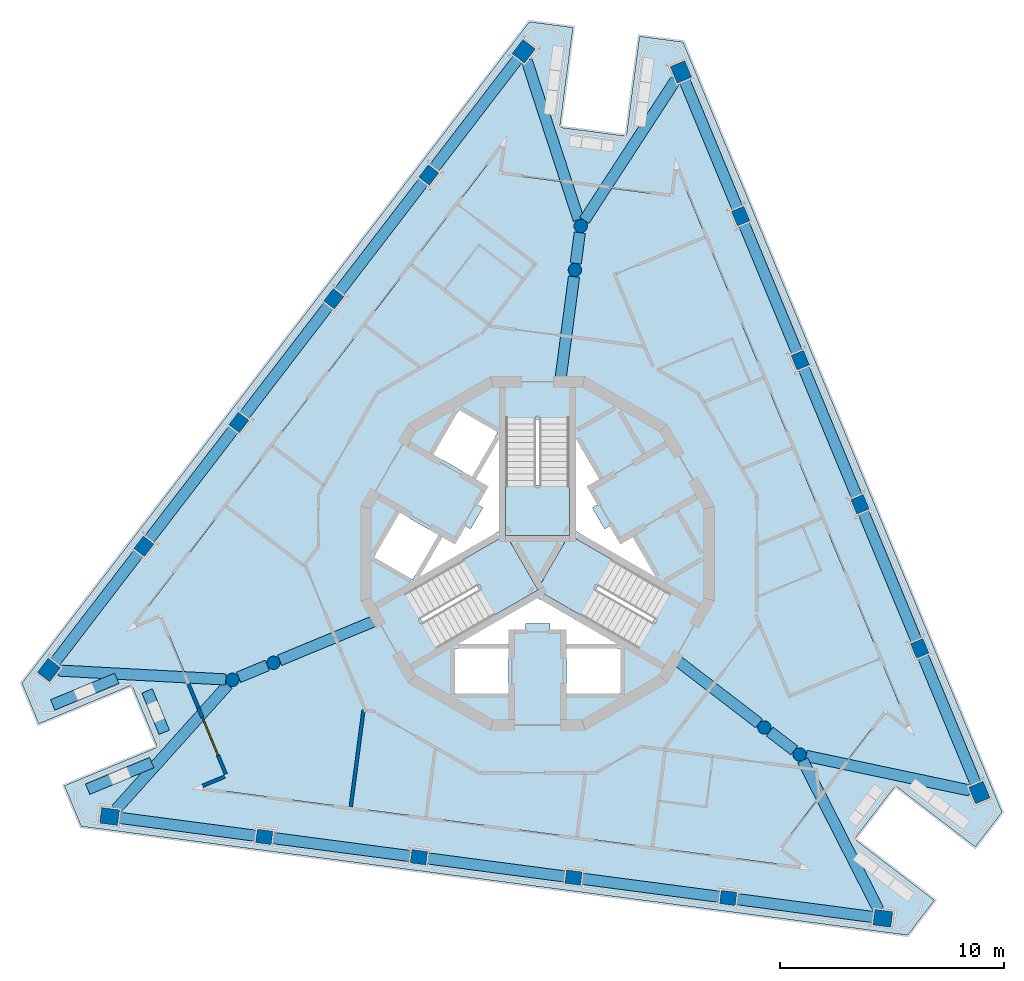
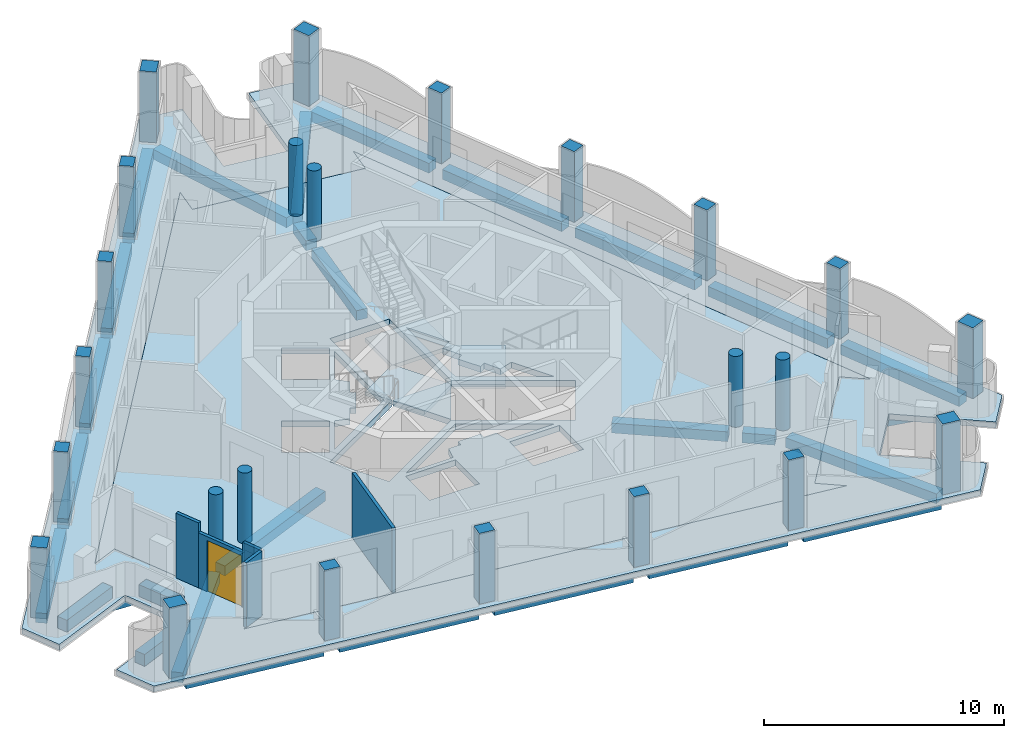
# One storey, part 1 of 12: 27 beams, 24 columns, 8 walls, 6 slabs, 1 door, 1 opening, 3 elements without a shape of their own.
"""IFC4 building model written with IfcOpenShell, lengths in metres."""

from ifc_helpers import new_model, si_unit, direction, frame, frame_2d, origin, origin_2d, place, context, subcontext, project, spatial, polyline, rectangle, circle, outline, extrude, material, layer, layer_set, material_profile, profile_set, type_object, element, fill, aggregate, save


model = new_model("IFC4")

# Units and contexts
model_context = context("Model", 3, precision=1e-05, world=origin(), true_north=direction((0.0, 1.0)))
body_context = subcontext(model_context, "Body", "Model", "MODEL_VIEW")
ifc_project = project(units=[si_unit("LENGTHUNIT", "METRE"), si_unit("AREAUNIT", "SQUARE_METRE"), si_unit("VOLUMEUNIT", "CUBIC_METRE"), si_unit("PLANEANGLEUNIT", "RADIAN"), si_unit("MASSUNIT", "GRAM", prefix="KILO")], contexts=[model_context])

# Site, building, storey
site_placement = place(None, origin())
site = spatial("IfcSite", under=ifc_project, at=site_placement, CompositionType="ELEMENT")
building_placement = place(site_placement, origin())
building = spatial("IfcBuilding", under=site, at=building_placement, Name="Trine Commons Tower", CompositionType="ELEMENT")
storey_placement = place(building_placement, frame((0.0, 0.0, 289.800048828125)))
storey = spatial("IfcBuildingStorey", under=building, at=storey_placement, Name="L76", CompositionType="ELEMENT", Elevation=289.800048828125)

# Columns
ifc_material_1 = material(Name="Concrete C50/60", Category="concrete")
ifc_material_profile_1 = material_profile(ifc_material_1, rectangle(XDim=0.699951171875, YDim=0.60009765625, at=origin_2d()), Name="RC 700x600")
ifc_profile_set_1 = profile_set([ifc_material_profile_1], Name="Concrete C50/60")
column_type_1 = type_object("IfcColumnType", Name="RC column 700x600, C50/60", PredefinedType="COLUMN", material=ifc_profile_set_1)
for number, where, z_axis, x_axis, name in (
    (1, (88.521728515625, 47.098876953125, 0.0), (0.0, 0.0, 1.0), (-0.991444861374, 0.13052619222, 0.0), "Column PC8-02 L76"),
    (2, (81.608642578125, 48.009033203125, 0.0), (0.0, 0.0, 1.0), (-0.991444861374, 0.13052619222, 0.0), "Column PC8-03 L76"),
    (3, (74.695556640625, 48.919189453125, 0.0), (0.0, 0.0, 1.0), (-0.991444861374, 0.13052619222, 0.0), "Column PC8-04 L76"),
    (4, (67.782470703125, 49.8291015625, 0.0), (0.0, 0.0, 1.0), (-0.991444861374, 0.13052619222, 0.0), "Column PC8-05 L76"),
    (5, (62.4013671875, 62.820556640625, 0.0), (0.0, 0.0, 1.0), (0.608761429009, 0.793353340291, 0.0), "Column PC8-08 L76"),
    (6, (66.64599609375, 68.352294921875, 0.0), (0.0, 0.0, 1.0), (0.608761429009, 0.793353340291, 0.0), "Column PC8-09 L76"),
    (7, (70.890869140625, 73.88427734375, 0.0), (0.0, 0.0, 1.0), (0.608761429009, 0.793353340291, 0.0), "Column PC8-10 L76"),
    (8, (75.135498046875, 79.416015625, 0.0), (0.0, 0.0, 1.0), (0.608761429009, 0.793353340291, 0.0), "Column PC8-11 L76"),
    (9, (89.076904296875, 77.58056640625, 0.0), (0.0, 0.0, 1.0), (-0.382683432365, 0.923879532511, 0.0), "Column PC8-14 L76"),
    (10, (91.745361328125, 71.138671875, 0.0), (0.0, 0.0, 1.0), (-0.382683432365, 0.923879532511, 0.0), "Column PC8-15 L76"),
    (11, (94.41357421875, 64.69677734375, 0.0), (0.0, 0.0, 1.0), (-0.382683432365, 0.923879532511, 0.0), "Column PC8-16 L76"),
    (12, (97.081787109375, 58.254638671875, 0.0), (0.0, 0.0, 1.0), (-0.382683432365, 0.923879532511, 0.0), "Column PC8-17 L76"),
):
    element("IfcColumn", number, at=place(storey_placement, frame(where, z_axis=z_axis, x_axis=x_axis)), inside=storey, type_object=column_type_1, Name=name, PredefinedType="COLUMN", context=body_context, shape_type="SweptSolid", body=[
        extrude(rectangle(XDim=0.699951171875, YDim=0.60009765625, at=origin_2d()), origin(), (0.0, 0.0, 1.0), 3.599853515625),
    ])
ifc_material_profile_2 = material_profile(ifc_material_1, rectangle(XDim=0.800048828125, YDim=0.699951171875, at=origin_2d()), Name="RC 800x700")
ifc_profile_set_2 = profile_set([ifc_material_profile_2], Name="Concrete C50/60")
column_type_2 = type_object("IfcColumnType", Name="RC column 800x700, C50/60", PredefinedType="COLUMN", material=ifc_profile_set_2)
for number, where, z_axis, x_axis, name in (
    (13, (95.434814453125, 46.188720703125, 0.0), (0.0, 0.0, 1.0), (-0.991444861374, 0.13052619222, 0.0), "Column PC8-01 L76"),
    (14, (60.869384765625, 50.7392578125, 0.0), (0.0, 0.0, 1.0), (-0.991444861374, 0.13052619222, 0.0), "Column PC8-06 L76"),
    (15, (58.156494140625, 57.288818359375, 0.0), (0.0, 0.0, 1.0), (0.608761429009, 0.793353340291, 0.0), "Column PC8-07 L76"),
    (16, (79.380126953125, 84.947998046875, 0.0), (0.0, 0.0, 1.0), (0.608761429009, 0.793353340291, 0.0), "Column PC8-12 L76"),
    (17, (86.40869140625, 84.022705078125, 0.0), (0.0, 0.0, 1.0), (-0.382683432365, 0.923879532511, 0.0), "Column PC8-13 L76"),
    (18, (99.750244140625, 51.812744140625, 0.0), (0.0, 0.0, 1.0), (-0.382683432365, 0.923879532511, 0.0), "Column PC8-18 L76"),
):
    element("IfcColumn", number, at=place(storey_placement, frame(where, z_axis=z_axis, x_axis=x_axis)), inside=storey, type_object=column_type_2, Name=name, PredefinedType="COLUMN", context=body_context, shape_type="SweptSolid", body=[
        extrude(rectangle(XDim=0.800048828125, YDim=0.699951171875, at=origin_2d()), origin(), (0.0, 0.0, 1.0), 3.599853515625),
    ])
ifc_material_profile_3 = material_profile(ifc_material_1, circle(Radius=0.300048828125, at=origin_2d()), Name="RC round 600")
ifc_profile_set_3 = profile_set([ifc_material_profile_3], Name="Concrete C50/60")
column_type_3 = type_object("IfcColumnType", Name="RC round column 600 mm, C50/60", PredefinedType="COLUMN", material=ifc_profile_set_3)
for number, where, z_axis, x_axis, name in (
    (19, (90.137451171875, 54.72119140625, 0.0), (0.0, 0.0, 1.0), (1.0, 0.0, 0.0), "Column WC8-1 L76"),
    (20, (91.711669921875, 53.513427734375, 0.0), (0.0, 0.0, 1.0), (1.0, 0.0, 0.0), "Column WC8-2 L76"),
    (21, (81.66796875, 75.168701171875, 0.0), (0.0, 0.0, 1.0), (1.0, 0.0, 0.0), "Column WC8-3 L76"),
    (22, (81.927001953125, 77.135986328125, 0.0), (0.0, 0.0, 1.0), (1.0, 0.0, 0.0), "Column WC8-4 L76"),
    (23, (68.194580078125, 57.610107421875, 0.0), (0.0, 0.0, 1.0), (1.0, 0.0, 0.0), "Column WC8-5 L76"),
    (24, (66.361572265625, 56.850830078125, 0.0), (0.0, 0.0, 1.0), (1.0, 0.0, 0.0), "Column WC8-6 L76"),
):
    element("IfcColumn", number, at=place(storey_placement, frame(where, z_axis=z_axis, x_axis=x_axis)), inside=storey, type_object=column_type_3, Name=name, PredefinedType="COLUMN", context=body_context, shape_type="SweptSolid", body=[
        extrude(circle(Radius=0.300048828125, at=origin_2d()), origin(), (0.0, 0.0, 1.0), 3.599853515625),
    ])

# Beams
ifc_material_2 = material(Name="Concrete C40/50", Category="concrete")
ifc_material_profile_4 = material_profile(ifc_material_2, rectangle(XDim=0.5, YDim=0.5, at=origin_2d()), Name="RC 500x500")
ifc_profile_set_4 = profile_set([ifc_material_profile_4], Name="Concrete C40/50")
beam_type = type_object("IfcBeamType", Name="RC beam 500x500, C40/50", PredefinedType="BEAM", material=ifc_profile_set_4)
beam_1_placement = place(storey_placement, frame((95.0380859375, 46.240966796875, -0.550048828125), z_axis=(-0.991444143506, 0.130531644853, 0.0), x_axis=(-0.130531644853, -0.991444143506, 0.0)))
element("IfcBeam", 25, at=beam_1_placement, inside=storey, type_object=beam_type, Name="Beam EB8-01 L76", PredefinedType="BEAM", context=body_context, shape_type="SweptSolid", body=[
    extrude(rectangle(XDim=0.5, YDim=0.5, at=origin_2d()), origin(), (0.0, 0.0, 1.0), 6.22265625),
])
beam_2_placement = place(storey_placement, frame((88.1748046875, 47.14453125, -0.550048828125), z_axis=(-0.9914427663, 0.130542104902, 0.0), x_axis=(-0.130542104902, -0.9914427663, 0.0)))
element("IfcBeam", 26, at=beam_2_placement, inside=storey, type_object=beam_type, Name="Beam EB8-02 L76", PredefinedType="BEAM", context=body_context, shape_type="SweptSolid", body=[
    extrude(rectangle(XDim=0.5, YDim=0.5, at=origin_2d()), origin(), (0.0, 0.0, 1.0), 6.272705078125),
])
for number, where, z_axis, x_axis, name in (
    (27, (81.26171875, 48.0546875, -0.550048828125), (-0.991448465824, 0.130498810784, 0.0), (-0.130498810784, -0.991448465824, 0.0), "Beam EB8-03 L76"),
    (28, (74.3486328125, 48.96484375, -0.550048828125), (-0.991448465824, 0.130498810784, 0.0), (-0.130498810784, -0.991448465824, 0.0), "Beam EB8-04 L76"),
):
    element("IfcBeam", number, at=place(storey_placement, frame(where, z_axis=z_axis, x_axis=x_axis)), inside=storey, type_object=beam_type, Name=name, PredefinedType="BEAM", context=body_context, shape_type="SweptSolid", body=[
        extrude(rectangle(XDim=0.5, YDim=0.5, at=origin_2d()), origin(), (0.0, 0.0, 1.0), 6.27294921875),
    ])
for number, where, z_axis, x_axis, name in (
    (29, (67.435546875, 49.875, -0.550048828125), (-0.991449220248, 0.130493079009, 0.0), (-0.130493079009, -0.991449220248, 0.0), "Beam EB8-05 L76"),
    (30, (58.400146484375, 57.60595703125, -0.550048828125), (0.60875848978, 0.793355595632, 0.0), (-0.793355595632, 0.60875848978, 0.0), "Beam EB8-06 L76"),
):
    element("IfcBeam", number, at=place(storey_placement, frame(where, z_axis=z_axis, x_axis=x_axis)), inside=storey, type_object=beam_type, Name=name, PredefinedType="BEAM", context=body_context, shape_type="SweptSolid", body=[
        extrude(rectangle(XDim=0.5, YDim=0.5, at=origin_2d()), origin(), (0.0, 0.0, 1.0), 6.22265625),
    ])
for number, where, z_axis, x_axis, name in (
    (31, (62.614501953125, 63.09814453125, -0.550048828125), (0.608756693169, 0.793356974206, 0.0), (-0.793356974206, 0.608756693169, 0.0), "Beam EB8-07 L76"),
    (32, (66.859130859375, 68.630126953125, -0.550048828125), (0.608775490712, 0.793342550169, 0.0), (-0.793342550169, 0.608775490712, 0.0), "Beam EB8-08 L76"),
):
    element("IfcBeam", number, at=place(storey_placement, frame(where, z_axis=z_axis, x_axis=x_axis)), inside=storey, type_object=beam_type, Name=name, PredefinedType="BEAM", context=body_context, shape_type="SweptSolid", body=[
        extrude(rectangle(XDim=0.5, YDim=0.5, at=origin_2d()), origin(), (0.0, 0.0, 1.0), 6.272705078125),
    ])
beam_3_placement = place(storey_placement, frame((71.10400390625, 74.161865234375, -0.550048828125), z_axis=(0.608750992772, 0.793361348188, 0.0), x_axis=(-0.793361348188, 0.608750992772, 0.0)))
element("IfcBeam", 33, at=beam_3_placement, inside=storey, type_object=beam_type, Name="Beam EB8-09 L76", PredefinedType="BEAM", context=body_context, shape_type="SweptSolid", body=[
    extrude(rectangle(XDim=0.5, YDim=0.5, at=origin_2d()), origin(), (0.0, 0.0, 1.0), 6.2724609375),
])
beam_4_placement = place(storey_placement, frame((75.3486328125, 79.693603515625, -0.550048828125), z_axis=(0.60873954155, 0.793370134649, 0.0), x_axis=(-0.793370134649, 0.60873954155, 0.0)))
element("IfcBeam", 34, at=beam_4_placement, inside=storey, type_object=beam_type, Name="Beam EB8-10 L76", PredefinedType="BEAM", context=body_context, shape_type="SweptSolid", body=[
    extrude(rectangle(XDim=0.5, YDim=0.5, at=origin_2d()), origin(), (0.0, 0.0, 1.0), 6.222900390625),
])
beam_5_placement = place(storey_placement, frame((86.561767578125, 83.653076171875, -0.550048828125), z_axis=(0.382686748804, -0.92387815879, 0.0), x_axis=(0.92387815879, 0.382686748804, 0.0)))
element("IfcBeam", 35, at=beam_5_placement, inside=storey, type_object=beam_type, Name="Beam EB8-11 L76", PredefinedType="BEAM", context=body_context, shape_type="SweptSolid", body=[
    extrude(rectangle(XDim=0.5, YDim=0.5, at=origin_2d()), origin(), (0.0, 0.0, 1.0), 6.22265625),
])
beam_6_placement = place(storey_placement, frame((89.210693359375, 77.257080078125, -0.550048828125), z_axis=(0.382724191967, -0.923862648278, 0.0), x_axis=(0.923862648278, 0.382724191967, 0.0)))
element("IfcBeam", 36, at=beam_6_placement, inside=storey, type_object=beam_type, Name="Beam EB8-12 L76", PredefinedType="BEAM", context=body_context, shape_type="SweptSolid", body=[
    extrude(rectangle(XDim=0.5, YDim=0.5, at=origin_2d()), origin(), (0.0, 0.0, 1.0), 6.2724609375),
])
for number, where, z_axis, x_axis, name in (
    (37, (91.879150390625, 70.815185546875, -0.550048828125), (0.38271043005, -0.923868349242, 0.0), (0.923868349242, 0.38271043005, 0.0), "Beam EB8-13 L76"),
    (38, (94.547607421875, 64.373291015625, -0.550048828125), (0.38267720894, -0.923882110314, 0.0), (0.923882110314, 0.38267720894, 0.0), "Beam EB8-14 L76"),
):
    element("IfcBeam", number, at=place(storey_placement, frame(where, z_axis=z_axis, x_axis=x_axis)), inside=storey, type_object=beam_type, Name=name, PredefinedType="BEAM", context=body_context, shape_type="SweptSolid", body=[
        extrude(rectangle(XDim=0.5, YDim=0.5, at=origin_2d()), origin(), (0.0, 0.0, 1.0), 6.272705078125),
    ])
beam_7_placement = place(storey_placement, frame((97.2158203125, 57.931396484375, -0.550048828125), z_axis=(0.382686748804, -0.92387815879, 0.0), x_axis=(0.92387815879, 0.382686748804, 0.0)))
element("IfcBeam", 39, at=beam_7_placement, inside=storey, type_object=beam_type, Name="Beam EB8-15 L76", PredefinedType="BEAM", context=body_context, shape_type="SweptSolid", body=[
    extrude(rectangle(XDim=0.5, YDim=0.5, at=origin_2d()), origin(), (0.0, 0.0, 1.0), 6.22265625),
])
beam_8_placement = place(storey_placement, frame((61.1533203125, 51.054931640625, -0.550048828125), z_axis=(0.668383038107, 0.743817258721, 0.0), x_axis=(-0.743817258721, 0.668383038107, 0.0)))
element("IfcBeam", 40, at=beam_8_placement, inside=storey, type_object=beam_type, Name="Beam CB8-01 L76", PredefinedType="BEAM", context=body_context, shape_type="SweptSolid", body=[
    extrude(rectangle(XDim=0.5, YDim=0.5, at=origin_2d()), origin(), (0.0, 0.0, 1.0), 7.492431640625),
])
beam_9_placement = place(storey_placement, frame((58.580322265625, 57.26611328125, -0.550048828125), z_axis=(0.998578123195, -0.053307896938, 0.0), x_axis=(0.053307896938, 0.998578123195, 0.0)))
element("IfcBeam", 41, at=beam_9_placement, inside=storey, type_object=beam_type, Name="Beam CB8-02 L76", PredefinedType="BEAM", context=body_context, shape_type="SweptSolid", body=[
    extrude(rectangle(XDim=0.5, YDim=0.5, at=origin_2d()), origin(), (0.0, 0.0, 1.0), 7.49267578125),
])
for number, where, z_axis, x_axis, name in (
    (42, (79.51171875, 84.54443359375, -0.550048828125), (0.309945045927, -0.950754473303, 0.0), (0.950754473303, 0.309945045927, 0.0), "Beam CB8-03 L76"),
    (43, (86.177001953125, 83.6669921875, -0.550048828125), (-0.545439536042, -0.838150173013, 0.0), (0.838150173013, -0.545439536042, 0.0), "Beam CB8-04 L76"),
):
    element("IfcBeam", number, at=place(storey_placement, frame(where, z_axis=z_axis, x_axis=x_axis)), inside=storey, type_object=beam_type, Name=name, PredefinedType="BEAM", context=body_context, shape_type="SweptSolid", body=[
        extrude(rectangle(XDim=0.5, YDim=0.5, at=origin_2d()), origin(), (0.0, 0.0, 1.0), 7.492431640625),
    ])
beam_10_placement = place(storey_placement, frame((99.335205078125, 51.900634765625, -0.550048828125), z_axis=(-0.978346023525, 0.206975984727, 0.0), x_axis=(-0.206975984727, -0.978346023525, 0.0)))
element("IfcBeam", 44, at=beam_10_placement, inside=storey, type_object=beam_type, Name="Beam CB8-05 L76", PredefinedType="BEAM", context=body_context, shape_type="SweptSolid", body=[
    extrude(rectangle(XDim=0.5, YDim=0.5, at=origin_2d()), origin(), (0.0, 0.0, 1.0), 7.49267578125),
])
beam_11_placement = place(storey_placement, frame((95.242431640625, 46.56689453125, -0.550048828125), z_axis=(-0.453121168072, 0.891448936869, 0.0), x_axis=(-0.891448936869, -0.453121168072, 0.0)))
element("IfcBeam", 45, at=beam_11_placement, inside=storey, type_object=beam_type, Name="Beam CB8-06 L76", PredefinedType="BEAM", context=body_context, shape_type="SweptSolid", body=[
    extrude(rectangle(XDim=0.5, YDim=0.5, at=origin_2d()), origin(), (0.0, 0.0, 1.0), 7.492431640625),
])
beam_12_placement = place(storey_placement, frame((86.020751953125, 57.880126953125, -0.550048828125), z_axis=(0.793360362614, -0.60875227723, 0.0), x_axis=(0.60875227723, 0.793360362614, 0.0)))
element("IfcBeam", 46, at=beam_12_placement, inside=storey, type_object=beam_type, Name="Beam RB8-01 L76", PredefinedType="BEAM", context=body_context, shape_type="SweptSolid", body=[
    extrude(rectangle(XDim=0.5, YDim=0.5, at=origin_2d()), origin(), (0.0, 0.0, 1.0), 4.88916015625),
])
beam_13_placement = place(storey_placement, frame((90.375244140625, 54.538818359375, -0.550048828125), z_axis=(0.793350909005, -0.60876459751, 0.0), x_axis=(0.60876459751, 0.793350909005, 0.0)))
element("IfcBeam", 47, at=beam_13_placement, inside=storey, type_object=beam_type, Name="Beam RB8-02 L76", PredefinedType="BEAM", context=body_context, shape_type="SweptSolid", body=[
    extrude(rectangle(XDim=0.5, YDim=0.5, at=origin_2d()), origin(), (0.0, 0.0, 1.0), 1.384765625),
])
beam_14_placement = place(storey_placement, frame((80.990478515625, 70.02392578125, -0.550048828125), z_axis=(0.130570757815, 0.991438993183, 0.0), x_axis=(-0.991438993183, 0.130570757815, 0.0)))
element("IfcBeam", 48, at=beam_14_placement, inside=storey, type_object=beam_type, Name="Beam RB8-03 L76", PredefinedType="BEAM", context=body_context, shape_type="SweptSolid", body=[
    extrude(rectangle(XDim=0.5, YDim=0.5, at=origin_2d()), origin(), (0.0, 0.0, 1.0), 4.889404296875),
])
beam_15_placement = place(storey_placement, frame((81.70703125, 75.4658203125, -0.550048828125), z_axis=(0.130454512571, 0.991454295543, 0.0), x_axis=(-0.991454295543, 0.130454512571, 0.0)))
element("IfcBeam", 49, at=beam_15_placement, inside=storey, type_object=beam_type, Name="Beam RB8-04 L76", PredefinedType="BEAM", context=body_context, shape_type="SweptSolid", body=[
    extrude(rectangle(XDim=0.5, YDim=0.5, at=origin_2d()), origin(), (0.0, 0.0, 1.0), 1.384765625),
])
beam_16_placement = place(storey_placement, frame((72.98876953125, 59.595703125, -0.550048828125), z_axis=(-0.923885978684, -0.382667869556, 0.0), x_axis=(0.382667869556, -0.923885978684, 0.0)))
element("IfcBeam", 50, at=beam_16_placement, inside=storey, type_object=beam_type, Name="Beam RB8-05 L76", PredefinedType="BEAM", context=body_context, shape_type="SweptSolid", body=[
    extrude(rectangle(XDim=0.5, YDim=0.5, at=origin_2d()), origin(), (0.0, 0.0, 1.0), 4.888916015625),
])
beam_17_placement = place(storey_placement, frame((67.91748046875, 57.495361328125, -0.550048828125), z_axis=(-0.923857745483, -0.38273602667, 0.0), x_axis=(0.38273602667, -0.923857745483, 0.0)))
element("IfcBeam", 51, at=beam_17_placement, inside=storey, type_object=beam_type, Name="Beam RB8-06 L76", PredefinedType="BEAM", context=body_context, shape_type="SweptSolid", body=[
    extrude(rectangle(XDim=0.5, YDim=0.5, at=origin_2d()), origin(), (0.0, 0.0, 1.0), 1.38427734375),
])

# Slabs
ifc_layer_1 = layer(ifc_material_2, 0.300048828125)
ifc_layer_set_1 = layer_set([ifc_layer_1], Name="Concrete C40/50")
slab_type_1 = type_object("IfcSlabType", Name="Loggia slab 300 mm, C40/50", PredefinedType="FLOOR", material=ifc_layer_set_1)
slab_1_placement = place(storey_placement, frame((0.0, 0.0, -0.300048828125)))
element("IfcSlab", 52, at=slab_1_placement, inside=storey, type_object=slab_type_1, Name="Loggia slab L76", PredefinedType="FLOOR", context=body_context, shape_type="SweptSolid", body=[
    extrude(outline(polyline([(100.763916015625, 50.933837890625), (86.503662109375, 85.36083984375), (84.556396484375, 85.6171875), (83.968994140625, 81.15576171875), (80.99462890625, 81.54736328125), (81.58203125, 86.0087890625), (79.634765625, 86.26513671875), (56.9501953125, 56.701904296875), (57.70166015625, 54.88720703125), (61.859130859375, 56.609375), (63.007080078125, 53.837890625), (58.849853515625, 52.11572265625), (59.601318359375, 50.301025390625), (96.546142578125, 45.437255859375), (97.741943359375, 46.99560546875), (94.171875, 49.73486328125), (95.998046875, 52.114990234375), (99.568115234375, 49.37548828125), (100.763916015625, 50.933837890625)]), holes=[polyline([(63.158203125, 59.7451171875), (66.14306640625, 52.538818359375), (64.900390625, 52.024169921875), (91.873779296875, 48.47314453125), (90.806640625, 49.2919921875), (95.55517578125, 55.47998046875), (96.6220703125, 54.6611328125), (86.210693359375, 79.79638671875), (86.03515625, 78.462890625), (78.302001953125, 79.481201171875), (78.4775390625, 80.814697265625), (61.915283203125, 59.23046875), (63.158203125, 59.7451171875)])]), origin(), (0.0, 0.0, 1.0), 0.300048828125),
])
ifc_layer_2 = layer(ifc_material_2, 0.300048828125)
ifc_layer_set_2 = layer_set([ifc_layer_2], Name="Concrete C40/50")
slab_type_2 = type_object("IfcSlabType", Name="PT flat slab 300 mm, C40/50", PredefinedType="FLOOR", material=ifc_layer_set_2)
slab_2_placement = place(storey_placement, frame((0.0, 0.0, -0.300048828125)))
element("IfcSlab", 53, at=slab_2_placement, inside=storey, type_object=slab_type_2, Name="Floor slab L76", PredefinedType="FLOOR", context=body_context, shape_type="SweptSolid", body=[
    extrude(outline(polyline([(61.915283203125, 59.23046875), (63.158203125, 59.7451171875), (66.14306640625, 52.538818359375), (64.900390625, 52.024169921875), (91.873779296875, 48.47314453125), (90.806640625, 49.2919921875), (95.55517578125, 55.47998046875), (96.6220703125, 54.6611328125), (86.210693359375, 79.79638671875), (86.03515625, 78.462890625), (78.302001953125, 79.481201171875), (78.4775390625, 80.814697265625), (61.915283203125, 59.23046875)]), holes=[polyline([(78.699951171875, 56.25), (78.699951171875, 58.25), (76.300048828125, 58.25), (76.300048828125, 56.25), (78.699951171875, 56.25)]), polyline([(83.699951171875, 56.25), (83.699951171875, 58.25), (81.300048828125, 58.25), (81.300048828125, 56.25), (83.699951171875, 56.25)]), polyline([(81.300048828125, 58.449951171875), (83.56494140625, 58.449951171875), (80.0, 60.508056640625), (76.43505859375, 58.449951171875), (78.699951171875, 58.449951171875), (78.85009765625, 59.10009765625), (79.449951171875, 59.10009765625), (79.449951171875, 59.360107421875), (80.550048828125, 59.360107421875), (80.550048828125, 59.10009765625), (81.14990234375, 59.10009765625), (81.300048828125, 58.449951171875)]), polyline([(81.425048828125, 63.32275390625), (81.425048828125, 68.490478515625), (78.574951171875, 68.490478515625), (78.574951171875, 63.32275390625), (74.099609375, 60.73876953125), (75.5244140625, 58.2705078125), (80.0, 60.8544921875), (84.4755859375, 58.2705078125), (85.900390625, 60.73876953125), (81.425048828125, 63.32275390625)]), polyline([(72.687255859375, 62.333984375), (74.41943359375, 61.333984375), (75.5693359375, 63.325927734375), (73.83740234375, 64.325927734375), (72.687255859375, 62.333984375)]), polyline([(76.381103515625, 63.031005859375), (75.742919921875, 63.22607421875), (74.7099609375, 61.43798828125), (78.27490234375, 63.49609375), (78.27490234375, 67.612060546875), (77.242919921875, 65.823974609375), (77.73095703125, 65.368896484375), (77.3310546875, 64.676025390625), (77.555908203125, 64.5458984375), (77.006103515625, 63.593994140625), (76.781005859375, 63.722900390625), (76.381103515625, 63.031005859375)]), polyline([(82.993896484375, 63.593994140625), (82.444091796875, 64.5458984375), (82.72705078125, 64.7099609375), (82.281005859375, 65.549072265625), (82.757080078125, 65.823974609375), (81.72509765625, 67.612060546875), (81.72509765625, 63.49609375), (85.2900390625, 61.43798828125), (84.257080078125, 63.22607421875), (83.618896484375, 63.031005859375), (83.243896484375, 63.738037109375), (82.993896484375, 63.593994140625)]), polyline([(76.4873046875, 68.916015625), (75.33740234375, 66.924072265625), (77.0693359375, 65.924072265625), (78.219482421875, 67.916015625), (76.4873046875, 68.916015625)])]), origin(), (0.0, 0.0, 1.0), 0.300048828125),
])
slab_3_placement = place(storey_placement, frame((0.0, 0.0, -0.300048828125)))
element("IfcSlab", 54, at=slab_3_placement, inside=storey, type_object=slab_type_2, Name="Floor slab L76 2", PredefinedType="FLOOR", context=body_context, shape_type="SweptSolid", body=[
    extrude(outline(polyline([(81.38671875, 63.300537109375), (78.61328125, 63.300537109375), (80.0, 60.89892578125), (81.38671875, 63.300537109375)])), origin(), (0.0, 0.0, 1.0), 0.300048828125),
])

# Stair, slab
stair_type = type_object("IfcStairType", Name="Exit stair, dog-leg, 24 risers of 150 mm", PredefinedType="HALF_TURN_STAIR", material=ifc_material_1)
stair_1_placement = place(storey_placement, origin())
stair_1 = element("IfcStair", 55, at=stair_1_placement, inside=storey, type_object=stair_type, Name="L76 Exit stair ST1D", PredefinedType="HALF_TURN_STAIR")
ifc_layer_3 = layer(ifc_material_1, 0.199951171875)
ifc_layer_set_3 = layer_set([ifc_layer_3], Name="Concrete C50/60")
slab_type_3 = type_object("IfcSlabType", Name="Stair landing slab 200 mm, C50/60", PredefinedType="LANDING", material=ifc_layer_set_3)
slab_4_placement = place(storey_placement, frame((0.0, 0.0, 1.599853515625)))
slab_4 = element("IfcSlab", 56, at=slab_4_placement, type_object=slab_type_3, Name="ST1D landing 1", PredefinedType="LANDING", context=body_context, shape_type="SweptSolid", body=[
    extrude(outline(polyline([(78.574951171875, 65.570556640625), (78.574951171875, 63.300537109375), (81.425048828125, 63.300537109375), (81.425048828125, 65.570556640625), (78.574951171875, 65.570556640625)])), origin(), (0.0, 0.0, 1.0), 0.2001953125),
])
aggregate(stair_1, [slab_4])

stair_2_placement = place(storey_placement, origin())
stair_2 = element("IfcStair", 57, at=stair_2_placement, inside=storey, type_object=stair_type, Name="L76 Exit stair ST2D", PredefinedType="HALF_TURN_STAIR")
slab_5_placement = place(storey_placement, frame((0.0, 0.0, 1.599853515625)))
slab_5 = element("IfcSlab", 58, at=slab_5_placement, type_object=slab_type_3, Name="ST2D landing 1", PredefinedType="LANDING", context=body_context, shape_type="SweptSolid", body=[
    extrude(outline(polyline([(78.05322265625, 59.730712890625), (80.019287109375, 60.86572265625), (78.59423828125, 63.333740234375), (76.628173828125, 62.19873046875), (78.05322265625, 59.730712890625)])), origin(), (0.0, 0.0, 1.0), 0.2001953125),
])
aggregate(stair_2, [slab_5])

stair_3_placement = place(storey_placement, origin())
stair_3 = element("IfcStair", 59, at=stair_3_placement, inside=storey, type_object=stair_type, Name="L76 Exit stair ST3D", PredefinedType="HALF_TURN_STAIR")
slab_6_placement = place(storey_placement, frame((0.0, 0.0, 1.599853515625)))
slab_6 = element("IfcSlab", 60, at=slab_6_placement, type_object=slab_type_3, Name="ST3D landing 1", PredefinedType="LANDING", context=body_context, shape_type="SweptSolid", body=[
    extrude(outline(polyline([(83.371826171875, 62.19873046875), (81.40576171875, 63.333740234375), (79.980712890625, 60.86572265625), (81.94677734375, 59.730712890625), (83.371826171875, 62.19873046875)])), origin(), (0.0, 0.0, 1.0), 0.2001953125),
])
aggregate(stair_3, [slab_6])

# Walls
ifc_material_3 = material(Name="Aluminium-framed insulated wall panel", Category="aluminium")
ifc_layer_4 = layer(ifc_material_3, 0.14990234375)
ifc_layer_set_4 = layer_set([ifc_layer_4], Name="Aluminium-framed insulated wall panel")
wall_type_1 = type_object("IfcWallType", Name="Glazed frame wall 150, EI 60", PredefinedType="SOLIDWALL", material=ifc_layer_set_4)
wall_1_placement = place(storey_placement, frame((64.886962890625, 52.056396484375, 0.0), z_axis=(0.0, 0.0, 1.0), x_axis=(0.923837625967, 0.382784588048, 0.0)))
element("IfcWall", 61, at=wall_1_placement, inside=storey, type_object=wall_type_1, Name="Glazed frame wall R10", PredefinedType="SOLIDWALL", context=body_context, shape_type="SweptSolid", body=[
    extrude(outline(polyline([(0.1494140625, 0.074951171875), (0.1494140625, -0.074951171875), (1.235107421875, -0.074951171875), (1.235107421875, 0.074951171875), (0.1494140625, 0.074951171875)])), origin(), (0.0, 0.0, 1.0), 3.300048828125),
])
wall_2_placement = place(storey_placement, frame((66.110595703125, 52.525390625, 0.0), z_axis=(0.0, 0.0, 1.0), x_axis=(-0.382517086072, 0.923948417858, 0.0)))
element("IfcWall", 62, at=wall_2_placement, inside=storey, type_object=wall_type_1, Name="Glazed frame wall P3.1", PredefinedType="SOLIDWALL", context=body_context, shape_type="SweptSolid", body=[
    extrude(outline(polyline([(0.110107421875, -0.074951171875), (1.0, -0.074951171875), (1.0, 0.074951171875), (0.110107421875, 0.074951171875), (0.110107421875, -0.074951171875)])), origin(), (0.0, 0.0, 1.0), 3.300048828125),
])

# Wall, opening, door
wall_3_placement = place(storey_placement, frame((65.72802734375, 53.449462890625, 0.0), z_axis=(0.0, 0.0, 1.0), x_axis=(-0.382693948857, 0.923875176368, 0.0)))
wall_3 = element("IfcWall", 63, at=wall_3_placement, inside=storey, type_object=wall_type_1, Name="Glazed frame wall P3.2", PredefinedType="SOLIDWALL", context=body_context, shape_type="SweptSolid", body=[
    extrude(outline(polyline([(0.0, -0.074951171875), (2.310791015625, -0.074951171875), (2.310791015625, 0.074951171875), (0.0, 0.074951171875), (0.0, -0.074951171875)])), origin(), (0.0, 0.0, 1.0), 2.800048828125),
])
opening_placement = place(wall_3_placement, frame((0.050048828125, 0.0, 0.0)))
opening = element("IfcOpeningElement", 64, at=opening_placement, cuts=wall_3, Name="Opening BD-8P3-01", PredefinedType="OPENING", context=body_context, shape_type="SweptSolid", body=[
    extrude(rectangle(XDim=1.800048828125, YDim=2.60009765625, at=frame_2d((0.89990234375, 1.300048828125))), frame((0.0, 0.0849609375, 0.0), z_axis=(0.0, -1.0, 0.0), x_axis=(1.0, 0.0, 0.0)), (0.0, 0.0, 1.0), 0.169921875),
])
ifc_material_4 = material(Name="Anodised aluminium frame with double glazing", Category="aluminium")
door_type = type_object("IfcDoorType", Name="Sliding loggia door 1800x2600", OperationType="SLIDING_TO_LEFT", PredefinedType="DOOR", material=ifc_material_4)
door_placement = place(opening_placement, origin())
door = element("IfcDoor", 65, at=door_placement, inside=storey, type_object=door_type, Name="Loggia door P3 1", OperationType="SLIDING_TO_LEFT", OverallHeight=2.60009765625, OverallWidth=1.800048828125, PredefinedType="DOOR", context=body_context, shape_type="SweptSolid", body=[
    extrude(rectangle(XDim=1.800048828125, YDim=2.60009765625, at=frame_2d((0.89990234375, 1.300048828125))), frame((0.0, 0.02490234375, 0.0), z_axis=(0.0, -1.0, 0.0), x_axis=(1.0, 0.0, 0.0)), (0.0, 0.0, 1.0), 0.050048828125),
])
fill(opening, door)

# Walls
wall_4_placement = place(storey_placement, frame((64.84375, 55.584228515625, 0.0), z_axis=(0.0, 0.0, 1.0), x_axis=(-0.382790839847, 0.923835035561, 0.0)))
element("IfcWall", 66, at=wall_4_placement, inside=storey, type_object=wall_type_1, Name="Glazed frame wall P3.3", PredefinedType="SOLIDWALL", context=body_context, shape_type="SweptSolid", body=[
    extrude(outline(polyline([(0.0, -0.074951171875), (1.1787109375, -0.074951171875), (1.1787109375, 0.074951171875), (0.0, 0.074951171875), (0.0, -0.074951171875)])), origin(), (0.0, 0.0, 1.0), 3.300048828125),
])
ifc_material_5 = material(Name="Planter trough, precast concrete C40/50", Category="concrete")
ifc_layer_5 = layer(ifc_material_5, 0.5)
ifc_layer_set_5 = layer_set([ifc_layer_5], Name="Planter trough, precast concrete C40/50")
wall_type_2 = type_object("IfcWallType", Name="Planter trough 500x600", PredefinedType="PARAPET", material=ifc_layer_set_5)
wall_5_placement = place(storey_placement, frame((59.887939453125, 51.961181640625, 0.0), z_axis=(0.0, 0.0, 1.0), x_axis=(0.923883411188, 0.382674068277, 0.0)))
element("IfcWall", 67, at=wall_5_placement, inside=storey, type_object=wall_type_2, Name="Planter 1", PredefinedType="PARAPET", context=body_context, shape_type="SweptSolid", body=[
    extrude(rectangle(XDim=3.099853515625, YDim=0.5, at=frame_2d((1.5498046875, 0.0))), origin(), (0.0, 0.0, 1.0), 0.599853515625),
])
wall_6_placement = place(storey_placement, frame((63.314697265625, 54.50634765625, 0.0), z_axis=(0.0, 0.0, 1.0), x_axis=(-0.382707581205, 0.923869529365, 0.0)))
element("IfcWall", 68, at=wall_6_placement, inside=storey, type_object=wall_type_2, Name="Planter 2", PredefinedType="PARAPET", context=body_context, shape_type="SweptSolid", body=[
    extrude(rectangle(XDim=2.0, YDim=0.5, at=frame_2d((1.0, 0.0))), origin(), (0.0, 0.0, 1.0), 0.599853515625),
])
wall_7_placement = place(storey_placement, frame((61.190673828125, 56.9169921875, 0.0), z_axis=(0.0, 0.0, 1.0), x_axis=(-0.923883411188, -0.382674068277, 0.0)))
element("IfcWall", 69, at=wall_7_placement, inside=storey, type_object=wall_type_2, Name="Planter 3", PredefinedType="PARAPET", context=body_context, shape_type="SweptSolid", body=[
    extrude(rectangle(XDim=3.099853515625, YDim=0.5, at=frame_2d((1.5498046875, 0.0))), origin(), (0.0, 0.0, 1.0), 0.599853515625),
])
ifc_material_6 = material(Name="Gypsum plasterboard on steel stud", Category="steel")
ifc_layer_6 = layer(ifc_material_6, 0.14990234375)
ifc_layer_set_6 = layer_set([ifc_layer_6], Name="Gypsum plasterboard on steel stud")
wall_type_3 = type_object("IfcWallType", Name="Unit and corridor wall 150 mm, EI 60", PredefinedType="PARTITIONING", material=ifc_layer_set_6)
wall_8_placement = place(storey_placement, frame((71.649169921875, 51.17578125, 0.0), z_axis=(0.0, 0.0, 1.0), x_axis=(0.130454512571, 0.991454295543, 0.0)))
element("IfcWall", 70, at=wall_8_placement, inside=storey, type_object=wall_type_3, Name="Partition 010", PredefinedType="PARTITIONING", context=body_context, shape_type="SweptSolid", body=[
    extrude(rectangle(XDim=4.360595703125, YDim=0.14990234375, at=frame_2d((2.18017578125, 0.0))), origin(), (0.0, 0.0, 1.0), 3.300048828125),
])

save(model, "model.ifc")
